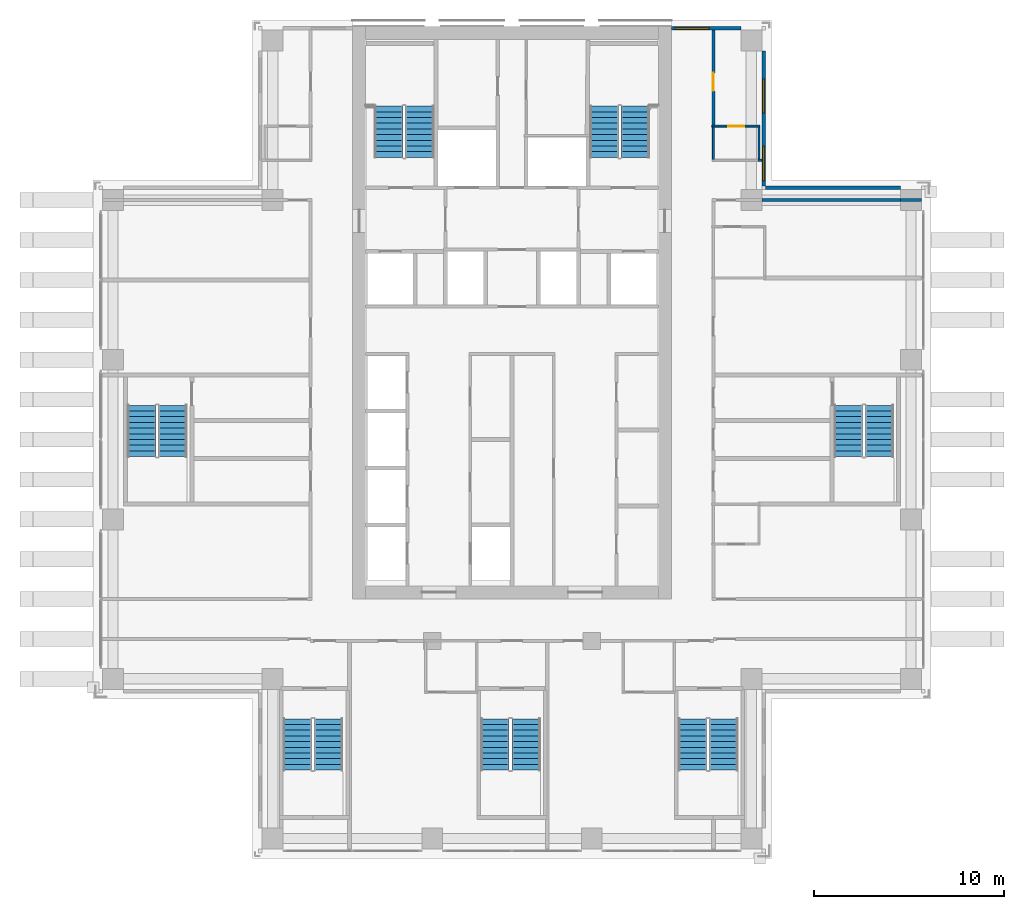
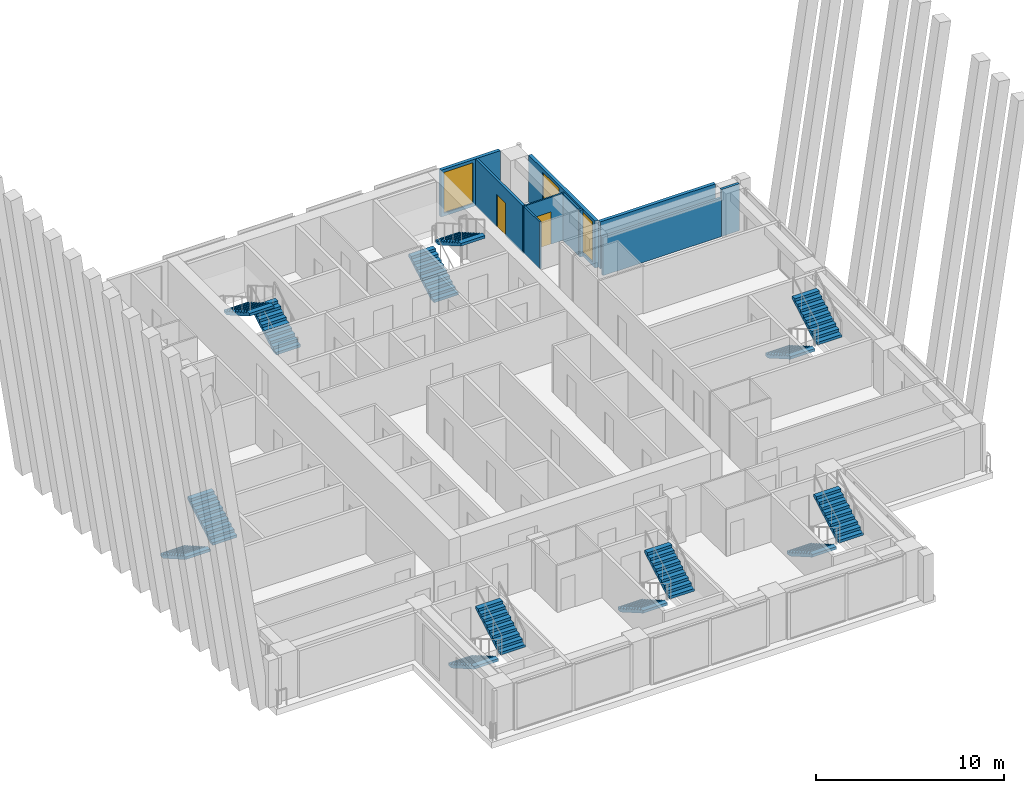
# One storey, part 12 of 15: 14 stair flights, 10 walls, 3 windows, 2 doors, 5 openings, 7 elements without a shape of their own.
"""IFC4 building model written with IfcOpenShell, lengths in metres."""

from ifc_helpers import new_model, si_unit, direction, frame, frame_2d, origin, place, context, subcontext, project, spatial, polyline, rectangle, outline, extrude, material, layer, layer_set, type_object, element, fill, aggregate, save


model = new_model("IFC4")

# Units and contexts
model_context = context("Model", 3, precision=1e-05, world=origin(), true_north=direction((0.0, 1.0)))
body_context = subcontext(model_context, "Body", "Model", "MODEL_VIEW")
ifc_project = project(units=[si_unit("LENGTHUNIT", "METRE"), si_unit("AREAUNIT", "SQUARE_METRE"), si_unit("VOLUMEUNIT", "CUBIC_METRE"), si_unit("PLANEANGLEUNIT", "RADIAN"), si_unit("MASSUNIT", "GRAM", prefix="KILO")], contexts=[model_context])

# Site, building, storey
site_placement = place(None, origin())
site = spatial("IfcSite", under=ifc_project, at=site_placement, CompositionType="ELEMENT")
building_placement = place(site_placement, origin())
building = spatial("IfcBuilding", under=site, at=building_placement, Name="Vermilion Ogive Tower", CompositionType="ELEMENT")
storey_placement = place(building_placement, frame((0.0, 0.0, 153.800048828125)))
storey = spatial("IfcBuildingStorey", under=building, at=storey_placement, Name="L39", CompositionType="ELEMENT", Elevation=153.800048828125)

# Wall, opening, door
ifc_material_1 = material(Name="Gypsum board partition on steel studs", Category="steel")
ifc_layer_1 = layer(ifc_material_1, 0.10009765625)
ifc_layer_set_1 = layer_set([ifc_layer_1], Name="Partition 100 bath")
wall_type_1 = type_object("IfcWallType", Name="Partition 100 bath", PredefinedType="PARTITIONING", material=ifc_layer_set_1)
wall_1_placement = place(storey_placement, frame((10.52490234375, 16.5, 0.0), z_axis=(0.0, 0.0, 1.0), x_axis=(1.0, 0.0, 0.0)))
wall_1 = element("IfcWall", 1, at=wall_1_placement, inside=storey, type_object=wall_type_1, Name="L39-W-W039", PredefinedType="PARTITIONING", context=body_context, shape_type="SweptSolid", body=[
    extrude(rectangle(XDim=2.525146484375, YDim=0.10009765625, at=frame_2d((1.2626953125, 0.0))), origin(), (0.0, 0.0, 1.0), 3.050048828125),
])
opening_1_placement = place(wall_1_placement, frame((0.85009765625, 0.0, 0.0)))
opening_1 = element("IfcOpeningElement", 2, at=opening_1_placement, cuts=wall_1, Name="Opening D3G3018", PredefinedType="OPENING", context=body_context, shape_type="SweptSolid", body=[
    extrude(rectangle(XDim=0.85009765625, YDim=2.10009765625, at=frame_2d((0.425048828125, 1.050048828125))), frame((0.0, 0.06005859375, 0.0), z_axis=(0.0, -1.0, 0.0), x_axis=(1.0, 0.0, 0.0)), (0.0, 0.0, 1.0), 0.1201171875),
])
ifc_material_2 = material(Name="Timber door leaf", Category="wood")
door_type_1 = type_object("IfcDoorType", Name="Bath door 850 x 2100 FD30", OperationType="SINGLE_SWING_LEFT", PredefinedType="DOOR", material=ifc_material_2)
door_1_placement = place(opening_1_placement, origin())
door_1 = element("IfcDoor", 3, at=door_1_placement, inside=storey, type_object=door_type_1, Name="L39-D-D018", OperationType="SINGLE_SWING_RIGHT", OverallHeight=2.10009765625, OverallWidth=0.85009765625, PredefinedType="DOOR", context=body_context, shape_type="SweptSolid", body=[
    extrude(rectangle(XDim=0.85009765625, YDim=2.10009765625, at=frame_2d((0.425048828125, 1.050048828125))), frame((0.0, 0.02490234375, 0.0), z_axis=(0.0, -1.0, 0.0), x_axis=(1.0, 0.0, 0.0)), (0.0, 0.0, 1.0), 0.050048828125),
])
fill(opening_1, door_1)

# Walls
wall_2_placement = place(storey_placement, frame((10.60009765625, 14.75, 0.0), z_axis=(0.0, 0.0, 1.0), x_axis=(0.0, 1.0, 0.0)))
element("IfcWall", 4, at=wall_2_placement, inside=storey, type_object=wall_type_1, Name="L39-W-W062", PredefinedType="PARTITIONING", context=body_context, shape_type="SweptSolid", body=[
    extrude(rectangle(XDim=1.699951171875, YDim=0.10009765625, at=frame_2d((0.85009765625, 0.0))), origin(), (0.0, 0.0, 1.0), 3.050048828125),
])
wall_3_placement = place(storey_placement, frame((13.0, 14.77490234375, 0.0), z_axis=(0.0, 0.0, 1.0), x_axis=(0.0, 1.0, 0.0)))
element("IfcWall", 5, at=wall_3_placement, inside=storey, type_object=wall_type_1, Name="L39-W-W065", PredefinedType="PARTITIONING", context=body_context, shape_type="SweptSolid", body=[
    extrude(rectangle(XDim=1.675048828125, YDim=0.10009765625, at=frame_2d((0.83740234375, 0.0))), origin(), (0.0, 0.0, 1.0), 3.050048828125),
])
ifc_material_3 = material(Name="Gypsum board partition on steel studs", Category="steel")
ifc_layer_2 = layer(ifc_material_3, 0.14990234375)
ifc_layer_set_2 = layer_set([ifc_layer_2], Name="Partition 150 corridor")
wall_type_2 = type_object("IfcWallType", Name="Partition 150 corridor", PredefinedType="PARTITIONING", material=ifc_layer_set_2)
wall_4_placement = place(storey_placement, frame((12.949951171875, 14.699951171875, 0.0), z_axis=(0.0, 0.0, 1.0), x_axis=(1.0, 0.0, 0.0)))
element("IfcWall", 6, at=wall_4_placement, inside=storey, type_object=wall_type_2, Name="L39-W-W037", PredefinedType="PARTITIONING", context=body_context, shape_type="SweptSolid", body=[
    extrude(rectangle(XDim=0.199951171875, YDim=0.14990234375, at=frame_2d((0.10009765625, 0.0))), origin(), (0.0, 0.0, 1.0), 3.050048828125),
])

# Wall, opening, door
wall_5_placement = place(storey_placement, frame((10.60009765625, 16.550048828125, 0.0), z_axis=(0.0, 0.0, 1.0), x_axis=(0.0, 1.0, 0.0)))
wall_5 = element("IfcWall", 7, at=wall_5_placement, inside=storey, type_object=wall_type_2, Name="L39-W-W063", PredefinedType="PARTITIONING", context=body_context, shape_type="SweptSolid", body=[
    extrude(rectangle(XDim=5.0, YDim=0.14990234375, at=frame_2d((2.5, 0.0))), origin(), (0.0, 0.0, 1.0), 3.050048828125),
])
opening_2_placement = place(wall_5_placement, frame((1.800048828125, 0.0, 0.0)))
opening_2 = element("IfcOpeningElement", 8, at=opening_2_placement, cuts=wall_5, Name="Opening D3G3017", PredefinedType="OPENING", context=body_context, shape_type="SweptSolid", body=[
    extrude(rectangle(XDim=0.949951171875, YDim=2.10009765625, at=frame_2d((0.47509765625, 1.050048828125))), frame((0.0, 0.0849609375, 0.0), z_axis=(0.0, -1.0, 0.0), x_axis=(1.0, 0.0, 0.0)), (0.0, 0.0, 1.0), 0.169921875),
])
ifc_material_4 = material(Name="Timber door leaf", Category="wood")
door_type_2 = type_object("IfcDoorType", Name="Unit door 950 x 2100 FD30S", OperationType="SINGLE_SWING_LEFT", PredefinedType="DOOR", material=ifc_material_4)
door_2_placement = place(opening_2_placement, origin())
door_2 = element("IfcDoor", 9, at=door_2_placement, inside=storey, type_object=door_type_2, Name="L39-D-D017", OperationType="SINGLE_SWING_LEFT", OverallHeight=2.10009765625, OverallWidth=0.949951171875, PredefinedType="DOOR", context=body_context, shape_type="SweptSolid", body=[
    extrude(rectangle(XDim=0.949951171875, YDim=2.10009765625, at=frame_2d((0.47509765625, 1.050048828125))), frame((0.0, 0.02490234375, 0.0), z_axis=(0.0, -1.0, 0.0), x_axis=(1.0, 0.0, 0.0)), (0.0, 0.0, 1.0), 0.050048828125),
])
fill(opening_2, door_2)

# Walls
wall_6_placement = place(storey_placement, frame((13.14990234375, 12.60009765625, 0.0), z_axis=(0.0, 0.0, 1.0), x_axis=(1.0, 0.0, 0.0)))
element("IfcWall", 10, at=wall_6_placement, inside=storey, type_object=wall_type_2, Name="L39-W-W033-h1", PredefinedType="PARTITIONING", context=body_context, shape_type="SweptSolid", body=[
    extrude(rectangle(XDim=7.300048828125, YDim=0.14990234375, at=frame_2d((3.64990234375, 0.0))), origin(), (0.0, 0.0, 1.0), 2.5),
])
wall_7_placement = place(storey_placement, frame((20.449951171875, 12.60009765625, 0.0), z_axis=(0.0, 0.0, 1.0), x_axis=(1.0, 0.0, 0.0)))
element("IfcWall", 11, at=wall_7_placement, inside=storey, type_object=wall_type_2, Name="L39-W-W033-h2", PredefinedType="PARTITIONING", context=body_context, shape_type="SweptSolid", body=[
    extrude(rectangle(XDim=1.10009765625, YDim=0.14990234375, at=frame_2d((0.550048828125, 0.0))), origin(), (0.0, 0.0, 1.0), 3.050048828125),
])
ifc_material_5 = material(Name="Aluminium window wall framing", Category="aluminium")
ifc_layer_3 = layer(ifc_material_5, 0.199951171875)
ifc_layer_set_3 = layer_set([ifc_layer_3], Name="Window wall")
wall_type_3 = type_object("IfcWallType", Name="Window wall", PredefinedType="STANDARD", material=ifc_layer_set_3)
wall_8_placement = place(storey_placement, frame((20.449951171875, 13.25, 0.0), z_axis=(0.0, 0.0, 1.0), x_axis=(-1.0, 0.0, 0.0)))
element("IfcWall", 12, at=wall_8_placement, inside=storey, type_object=wall_type_3, Name="Window wall X31", PredefinedType="STANDARD", context=body_context, shape_type="SweptSolid", body=[
    extrude(rectangle(XDim=7.099853515625, YDim=0.199951171875, at=frame_2d((3.5498046875, 0.0))), origin(), (0.0, 0.0, 1.0), 3.050048828125),
])

# Wall, openings, windows
wall_9_placement = place(storey_placement, frame((13.25, 13.35009765625, 0.0), z_axis=(0.0, 0.0, 1.0), x_axis=(0.0, 1.0, 0.0)))
wall_9 = element("IfcWall", 13, at=wall_9_placement, inside=storey, type_object=wall_type_3, Name="Window wall X41", PredefinedType="STANDARD", context=body_context, shape_type="SweptSolid", body=[
    extrude(rectangle(XDim=7.099853515625, YDim=0.199951171875, at=frame_2d((3.5498046875, 0.0))), origin(), (0.0, 0.0, 1.0), 3.050048828125),
])
opening_3_placement = place(wall_9_placement, frame((0.27490234375, 0.0, 0.199951171875)))
opening_3 = element("IfcOpeningElement", 14, at=opening_3_placement, cuts=wall_9, Name="Opening W1-X403", PredefinedType="OPENING", context=body_context, shape_type="SweptSolid", body=[
    extrude(rectangle(XDim=1.800048828125, YDim=2.64990234375, at=frame_2d((0.89990234375, 1.324951171875))), frame((0.0, 0.10986328125, 0.0), z_axis=(0.0, -1.0, 0.0), x_axis=(1.0, 0.0, 0.0)), (0.0, 0.0, 1.0), 0.219970703125),
])
opening_4_placement = place(wall_9_placement, frame((3.824951171875, 0.0, 0.199951171875)))
opening_4 = element("IfcOpeningElement", 15, at=opening_4_placement, cuts=wall_9, Name="Opening W1-X404", PredefinedType="OPENING", context=body_context, shape_type="SweptSolid", body=[
    extrude(rectangle(XDim=1.800048828125, YDim=2.64990234375, at=frame_2d((0.89990234375, 1.324951171875))), frame((0.0, 0.10986328125, 0.0), z_axis=(0.0, -1.0, 0.0), x_axis=(1.0, 0.0, 0.0)), (0.0, 0.0, 1.0), 0.219970703125),
])
ifc_material_6 = material(Name="Aluminium framed double glazing", Category="aluminium")
window_type = type_object("IfcWindowType", Name="Guest window W1", PartitioningType="SINGLE_PANEL", PredefinedType="WINDOW", material=ifc_material_6)
window_1_placement = place(opening_3_placement, origin())
window_1 = element("IfcWindow", 16, at=window_1_placement, inside=storey, type_object=window_type, Name="Window X403", OverallHeight=2.64990234375, OverallWidth=1.800048828125, PartitioningType="SINGLE_PANEL", PredefinedType="WINDOW", context=body_context, shape_type="SweptSolid", body=[
    extrude(rectangle(XDim=1.800048828125, YDim=2.64990234375, at=frame_2d((0.89990234375, 1.324951171875))), frame((0.0, 0.030029296875, 0.0), z_axis=(0.0, -1.0, 0.0), x_axis=(1.0, 0.0, 0.0)), (0.0, 0.0, 1.0), 0.06005859375),
])
fill(opening_3, window_1)
window_2_placement = place(opening_4_placement, origin())
window_2 = element("IfcWindow", 17, at=window_2_placement, inside=storey, type_object=window_type, Name="Window X404", OverallHeight=2.64990234375, OverallWidth=1.800048828125, PartitioningType="SINGLE_PANEL", PredefinedType="WINDOW", context=body_context, shape_type="SweptSolid", body=[
    extrude(rectangle(XDim=1.800048828125, YDim=2.64990234375, at=frame_2d((0.89990234375, 1.324951171875))), frame((0.0, 0.030029296875, 0.0), z_axis=(0.0, -1.0, 0.0), x_axis=(1.0, 0.0, 0.0)), (0.0, 0.0, 1.0), 0.06005859375),
])
fill(opening_4, window_2)

# Wall, opening, window
wall_10_placement = place(storey_placement, frame((12.050048828125, 21.64990234375, 0.0), z_axis=(0.0, 0.0, 1.0), x_axis=(-1.0, 0.0, 0.0)))
wall_10 = element("IfcWall", 18, at=wall_10_placement, inside=storey, type_object=wall_type_3, Name="Window wall N11", PredefinedType="STANDARD", context=body_context, shape_type="SweptSolid", body=[
    extrude(rectangle(XDim=3.650146484375, YDim=0.199951171875, at=frame_2d((1.8251953125, 0.0))), origin(), (0.0, 0.0, 1.0), 3.050048828125),
])
opening_5_placement = place(wall_10_placement, frame((1.669921875, 0.0, 0.199951171875)))
opening_5 = element("IfcOpeningElement", 19, at=opening_5_placement, cuts=wall_10, Name="Opening W1-N102", PredefinedType="OPENING", context=body_context, shape_type="SweptSolid", body=[
    extrude(rectangle(XDim=1.800048828125, YDim=2.64990234375, at=frame_2d((0.89990234375, 1.324951171875))), frame((0.0, 0.10986328125, 0.0), z_axis=(0.0, -1.0, 0.0), x_axis=(1.0, 0.0, 0.0)), (0.0, 0.0, 1.0), 0.219970703125),
])
window_3_placement = place(opening_5_placement, origin())
window_3 = element("IfcWindow", 20, at=window_3_placement, inside=storey, type_object=window_type, Name="Window N102", OverallHeight=2.64990234375, OverallWidth=1.800048828125, PartitioningType="SINGLE_PANEL", PredefinedType="WINDOW", context=body_context, shape_type="SweptSolid", body=[
    extrude(rectangle(XDim=1.800048828125, YDim=2.64990234375, at=frame_2d((0.89990234375, 1.324951171875))), frame((0.0, 0.030029296875, 0.0), z_axis=(0.0, -1.0, 0.0), x_axis=(1.0, 0.0, 0.0)), (0.0, 0.0, 1.0), 0.06005859375),
])
fill(opening_5, window_3)

# Stair, stair flights
ifc_material_7 = material(Name="Concrete B40", Category="concrete")
stair_type = type_object("IfcStairType", Name="Exit stair 1500", PredefinedType="HALF_TURN_STAIR", material=ifc_material_7)
stair_1_placement = place(storey_placement, origin())
stair_1 = element("IfcStair", 21, at=stair_1_placement, inside=storey, type_object=stair_type, Name="L39 Exit Stair ST1", PredefinedType="HALF_TURN_STAIR")
ifc_material_8 = material(Name="Concrete B40", Category="concrete")
stair_flight_type = type_object("IfcStairFlightType", Name="Stair flight 1500", PredefinedType="STRAIGHT", material=ifc_material_8)
stair_flight_1_placement = place(storey_placement, frame((-4.85009765625, 14.85009765625, 0.0), z_axis=(0.0, 0.0, 1.0), x_axis=(0.0, 1.0, 0.0)))
stair_flight_1 = element("IfcStairFlight", 22, at=stair_flight_1_placement, type_object=stair_flight_type, Name="ST1 flight 1", NumberOfRisers=10, NumberOfTreads=9, PredefinedType="STRAIGHT", RiserHeight=0.1725, TreadLength=0.3, context=body_context, shape_type="SweptSolid", body=[
    extrude(outline(polyline([(0.0, 0.0), (0.0, 0.172607421875), (0.300048828125, 0.172607421875), (0.300048828125, 0.344970703125), (0.60009765625, 0.344970703125), (0.60009765625, 0.517578125), (0.89990234375, 0.517578125), (0.89990234375, 0.68994140625), (1.199951171875, 0.68994140625), (1.199951171875, 0.862548828125), (1.5, 0.862548828125), (1.5, 1.034912109375), (1.800048828125, 1.034912109375), (1.800048828125, 1.20751953125), (2.10009765625, 1.20751953125), (2.10009765625, 1.3798828125), (2.39990234375, 1.3798828125), (2.39990234375, 1.552490234375), (2.699951171875, 1.552490234375), (2.699951171875, 1.72509765625), (2.699951171875, 1.379638671875), (0.30078125, 0.0), (0.0, 0.0)])), frame((0.0, 0.75, 0.0), z_axis=(0.0, -1.0, 0.0), x_axis=(1.0, 0.0, 0.0)), (0.0, 0.0, 1.0), 1.5),
])
stair_flight_2_placement = place(storey_placement, frame((-6.5, 17.550048828125, 1.724853515625), z_axis=(0.0, 0.0, 1.0), x_axis=(0.0, -1.0, 0.0)))
stair_flight_2 = element("IfcStairFlight", 23, at=stair_flight_2_placement, type_object=stair_flight_type, Name="ST1 flight 2", NumberOfRisers=10, NumberOfTreads=9, PredefinedType="STRAIGHT", RiserHeight=0.1725, TreadLength=0.3, context=body_context, shape_type="SweptSolid", body=[
    extrude(outline(polyline([(0.0, 0.0), (0.0, 0.172607421875), (0.300048828125, 0.172607421875), (0.300048828125, 0.344970703125), (0.60009765625, 0.344970703125), (0.60009765625, 0.517578125), (0.89990234375, 0.517578125), (0.89990234375, 0.68994140625), (1.199951171875, 0.68994140625), (1.199951171875, 0.862548828125), (1.5, 0.862548828125), (1.5, 1.034912109375), (1.800048828125, 1.034912109375), (1.800048828125, 1.20751953125), (2.10009765625, 1.20751953125), (2.10009765625, 1.3798828125), (2.39990234375, 1.3798828125), (2.39990234375, 1.552490234375), (2.699951171875, 1.552490234375), (2.699951171875, 1.72509765625), (2.699951171875, 1.379638671875), (0.30078125, 0.0), (0.0, 0.0)])), frame((0.0, 0.75, 0.0), z_axis=(0.0, -1.0, 0.0), x_axis=(1.0, 0.0, 0.0)), (0.0, 0.0, 1.0), 1.5),
])
aggregate(stair_1, [stair_flight_1, stair_flight_2])

stair_2_placement = place(storey_placement, origin())
stair_2 = element("IfcStair", 24, at=stair_2_placement, inside=storey, type_object=stair_type, Name="L39 Exit Stair ST2", PredefinedType="HALF_TURN_STAIR")
stair_flight_3_placement = place(storey_placement, frame((4.85009765625, 14.85009765625, 0.0), z_axis=(0.0, 0.0, 1.0), x_axis=(0.0, 1.0, 0.0)))
stair_flight_3 = element("IfcStairFlight", 25, at=stair_flight_3_placement, type_object=stair_flight_type, Name="ST2 flight 1", NumberOfRisers=10, NumberOfTreads=9, PredefinedType="STRAIGHT", RiserHeight=0.1725, TreadLength=0.3, context=body_context, shape_type="SweptSolid", body=[
    extrude(outline(polyline([(0.0, 0.0), (0.0, 0.172607421875), (0.300048828125, 0.172607421875), (0.300048828125, 0.344970703125), (0.60009765625, 0.344970703125), (0.60009765625, 0.517578125), (0.89990234375, 0.517578125), (0.89990234375, 0.68994140625), (1.199951171875, 0.68994140625), (1.199951171875, 0.862548828125), (1.5, 0.862548828125), (1.5, 1.034912109375), (1.800048828125, 1.034912109375), (1.800048828125, 1.20751953125), (2.10009765625, 1.20751953125), (2.10009765625, 1.3798828125), (2.39990234375, 1.3798828125), (2.39990234375, 1.552490234375), (2.699951171875, 1.552490234375), (2.699951171875, 1.72509765625), (2.699951171875, 1.379638671875), (0.30078125, 0.0), (0.0, 0.0)])), frame((0.0, 0.75, 0.0), z_axis=(0.0, -1.0, 0.0), x_axis=(1.0, 0.0, 0.0)), (0.0, 0.0, 1.0), 1.5),
])
stair_flight_4_placement = place(storey_placement, frame((6.5, 17.550048828125, 1.724853515625), z_axis=(0.0, 0.0, 1.0), x_axis=(0.0, -1.0, 0.0)))
stair_flight_4 = element("IfcStairFlight", 26, at=stair_flight_4_placement, type_object=stair_flight_type, Name="ST2 flight 2", NumberOfRisers=10, NumberOfTreads=9, PredefinedType="STRAIGHT", RiserHeight=0.1725, TreadLength=0.3, context=body_context, shape_type="SweptSolid", body=[
    extrude(outline(polyline([(0.0, 0.0), (0.0, 0.172607421875), (0.300048828125, 0.172607421875), (0.300048828125, 0.344970703125), (0.60009765625, 0.344970703125), (0.60009765625, 0.517578125), (0.89990234375, 0.517578125), (0.89990234375, 0.68994140625), (1.199951171875, 0.68994140625), (1.199951171875, 0.862548828125), (1.5, 0.862548828125), (1.5, 1.034912109375), (1.800048828125, 1.034912109375), (1.800048828125, 1.20751953125), (2.10009765625, 1.20751953125), (2.10009765625, 1.3798828125), (2.39990234375, 1.3798828125), (2.39990234375, 1.552490234375), (2.699951171875, 1.552490234375), (2.699951171875, 1.72509765625), (2.699951171875, 1.379638671875), (0.30078125, 0.0), (0.0, 0.0)])), frame((0.0, 0.75, 0.0), z_axis=(0.0, -1.0, 0.0), x_axis=(1.0, 0.0, 0.0)), (0.0, 0.0, 1.0), 1.5),
])
aggregate(stair_2, [stair_flight_3, stair_flight_4])

stair_3_placement = place(storey_placement, origin())
stair_3 = element("IfcStair", 27, at=stair_3_placement, inside=storey, type_object=stair_type, Name="L39 Exit Stair ST3", PredefinedType="HALF_TURN_STAIR")
stair_flight_5_placement = place(storey_placement, frame((-11.300048828125, -14.699951171875, 0.0), z_axis=(0.0, 0.0, 1.0), x_axis=(0.0, -1.0, 0.0)))
stair_flight_5 = element("IfcStairFlight", 28, at=stair_flight_5_placement, type_object=stair_flight_type, Name="ST3 flight 1", NumberOfRisers=10, NumberOfTreads=9, PredefinedType="STRAIGHT", RiserHeight=0.1725, TreadLength=0.3, context=body_context, shape_type="SweptSolid", body=[
    extrude(outline(polyline([(0.0, 0.0), (0.0, 0.172607421875), (0.300048828125, 0.172607421875), (0.300048828125, 0.344970703125), (0.60009765625, 0.344970703125), (0.60009765625, 0.517578125), (0.89990234375, 0.517578125), (0.89990234375, 0.68994140625), (1.199951171875, 0.68994140625), (1.199951171875, 0.862548828125), (1.5, 0.862548828125), (1.5, 1.034912109375), (1.800048828125, 1.034912109375), (1.800048828125, 1.20751953125), (2.10009765625, 1.20751953125), (2.10009765625, 1.3798828125), (2.39990234375, 1.3798828125), (2.39990234375, 1.552490234375), (2.699951171875, 1.552490234375), (2.699951171875, 1.72509765625), (2.699951171875, 1.379638671875), (0.30078125, 0.0), (0.0, 0.0)])), frame((0.0, 0.75, 0.0), z_axis=(0.0, -1.0, 0.0), x_axis=(1.0, 0.0, 0.0)), (0.0, 0.0, 1.0), 1.5),
])
stair_flight_6_placement = place(storey_placement, frame((-9.64990234375, -17.39990234375, 1.724853515625), z_axis=(0.0, 0.0, 1.0), x_axis=(0.0, 1.0, 0.0)))
stair_flight_6 = element("IfcStairFlight", 29, at=stair_flight_6_placement, type_object=stair_flight_type, Name="ST3 flight 2", NumberOfRisers=10, NumberOfTreads=9, PredefinedType="STRAIGHT", RiserHeight=0.1725, TreadLength=0.3, context=body_context, shape_type="SweptSolid", body=[
    extrude(outline(polyline([(0.0, 0.0), (0.0, 0.172607421875), (0.300048828125, 0.172607421875), (0.300048828125, 0.344970703125), (0.60009765625, 0.344970703125), (0.60009765625, 0.517578125), (0.89990234375, 0.517578125), (0.89990234375, 0.68994140625), (1.199951171875, 0.68994140625), (1.199951171875, 0.862548828125), (1.5, 0.862548828125), (1.5, 1.034912109375), (1.800048828125, 1.034912109375), (1.800048828125, 1.20751953125), (2.10009765625, 1.20751953125), (2.10009765625, 1.3798828125), (2.39990234375, 1.3798828125), (2.39990234375, 1.552490234375), (2.699951171875, 1.552490234375), (2.699951171875, 1.72509765625), (2.699951171875, 1.379638671875), (0.30078125, 0.0), (0.0, 0.0)])), frame((0.0, 0.75, 0.0), z_axis=(0.0, -1.0, 0.0), x_axis=(1.0, 0.0, 0.0)), (0.0, 0.0, 1.0), 1.5),
])
aggregate(stair_3, [stair_flight_5, stair_flight_6])

stair_4_placement = place(storey_placement, origin())
stair_4 = element("IfcStair", 30, at=stair_4_placement, inside=storey, type_object=stair_type, Name="L39 Exit Stair ST4", PredefinedType="HALF_TURN_STAIR")
stair_flight_7_placement = place(storey_placement, frame((-0.89990234375, -14.699951171875, 0.0), z_axis=(0.0, 0.0, 1.0), x_axis=(0.0, -1.0, 0.0)))
stair_flight_7 = element("IfcStairFlight", 31, at=stair_flight_7_placement, type_object=stair_flight_type, Name="ST4 flight 1", NumberOfRisers=10, NumberOfTreads=9, PredefinedType="STRAIGHT", RiserHeight=0.1725, TreadLength=0.3, context=body_context, shape_type="SweptSolid", body=[
    extrude(outline(polyline([(0.0, 0.0), (0.0, 0.172607421875), (0.300048828125, 0.172607421875), (0.300048828125, 0.344970703125), (0.60009765625, 0.344970703125), (0.60009765625, 0.517578125), (0.89990234375, 0.517578125), (0.89990234375, 0.68994140625), (1.199951171875, 0.68994140625), (1.199951171875, 0.862548828125), (1.5, 0.862548828125), (1.5, 1.034912109375), (1.800048828125, 1.034912109375), (1.800048828125, 1.20751953125), (2.10009765625, 1.20751953125), (2.10009765625, 1.3798828125), (2.39990234375, 1.3798828125), (2.39990234375, 1.552490234375), (2.699951171875, 1.552490234375), (2.699951171875, 1.72509765625), (2.699951171875, 1.379638671875), (0.30078125, 0.0), (0.0, 0.0)])), frame((0.0, 0.75, 0.0), z_axis=(0.0, -1.0, 0.0), x_axis=(1.0, 0.0, 0.0)), (0.0, 0.0, 1.0), 1.5),
])
stair_flight_8_placement = place(storey_placement, frame((0.75, -17.39990234375, 1.724853515625), z_axis=(0.0, 0.0, 1.0), x_axis=(0.0, 1.0, 0.0)))
stair_flight_8 = element("IfcStairFlight", 32, at=stair_flight_8_placement, type_object=stair_flight_type, Name="ST4 flight 2", NumberOfRisers=10, NumberOfTreads=9, PredefinedType="STRAIGHT", RiserHeight=0.1725, TreadLength=0.3, context=body_context, shape_type="SweptSolid", body=[
    extrude(outline(polyline([(0.0, 0.0), (0.0, 0.172607421875), (0.300048828125, 0.172607421875), (0.300048828125, 0.344970703125), (0.60009765625, 0.344970703125), (0.60009765625, 0.517578125), (0.89990234375, 0.517578125), (0.89990234375, 0.68994140625), (1.199951171875, 0.68994140625), (1.199951171875, 0.862548828125), (1.5, 0.862548828125), (1.5, 1.034912109375), (1.800048828125, 1.034912109375), (1.800048828125, 1.20751953125), (2.10009765625, 1.20751953125), (2.10009765625, 1.3798828125), (2.39990234375, 1.3798828125), (2.39990234375, 1.552490234375), (2.699951171875, 1.552490234375), (2.699951171875, 1.72509765625), (2.699951171875, 1.379638671875), (0.30078125, 0.0), (0.0, 0.0)])), frame((0.0, 0.75, 0.0), z_axis=(0.0, -1.0, 0.0), x_axis=(1.0, 0.0, 0.0)), (0.0, 0.0, 1.0), 1.5),
])
aggregate(stair_4, [stair_flight_7, stair_flight_8])

stair_5_placement = place(storey_placement, origin())
stair_5 = element("IfcStair", 33, at=stair_5_placement, inside=storey, type_object=stair_type, Name="L39 Exit Stair ST5", PredefinedType="HALF_TURN_STAIR")
stair_flight_9_placement = place(storey_placement, frame((9.5, -14.699951171875, 0.0), z_axis=(0.0, 0.0, 1.0), x_axis=(0.0, -1.0, 0.0)))
stair_flight_9 = element("IfcStairFlight", 34, at=stair_flight_9_placement, type_object=stair_flight_type, Name="ST5 flight 1", NumberOfRisers=10, NumberOfTreads=9, PredefinedType="STRAIGHT", RiserHeight=0.1725, TreadLength=0.3, context=body_context, shape_type="SweptSolid", body=[
    extrude(outline(polyline([(0.0, 0.0), (0.0, 0.172607421875), (0.300048828125, 0.172607421875), (0.300048828125, 0.344970703125), (0.60009765625, 0.344970703125), (0.60009765625, 0.517578125), (0.89990234375, 0.517578125), (0.89990234375, 0.68994140625), (1.199951171875, 0.68994140625), (1.199951171875, 0.862548828125), (1.5, 0.862548828125), (1.5, 1.034912109375), (1.800048828125, 1.034912109375), (1.800048828125, 1.20751953125), (2.10009765625, 1.20751953125), (2.10009765625, 1.3798828125), (2.39990234375, 1.3798828125), (2.39990234375, 1.552490234375), (2.699951171875, 1.552490234375), (2.699951171875, 1.72509765625), (2.699951171875, 1.379638671875), (0.30078125, 0.0), (0.0, 0.0)])), frame((0.0, 0.75, 0.0), z_axis=(0.0, -1.0, 0.0), x_axis=(1.0, 0.0, 0.0)), (0.0, 0.0, 1.0), 1.5),
])
stair_flight_10_placement = place(storey_placement, frame((11.14990234375, -17.39990234375, 1.724853515625), z_axis=(0.0, 0.0, 1.0), x_axis=(0.0, 1.0, 0.0)))
stair_flight_10 = element("IfcStairFlight", 35, at=stair_flight_10_placement, type_object=stair_flight_type, Name="ST5 flight 2", NumberOfRisers=10, NumberOfTreads=9, PredefinedType="STRAIGHT", RiserHeight=0.1725, TreadLength=0.3, context=body_context, shape_type="SweptSolid", body=[
    extrude(outline(polyline([(0.0, 0.0), (0.0, 0.172607421875), (0.300048828125, 0.172607421875), (0.300048828125, 0.344970703125), (0.60009765625, 0.344970703125), (0.60009765625, 0.517578125), (0.89990234375, 0.517578125), (0.89990234375, 0.68994140625), (1.199951171875, 0.68994140625), (1.199951171875, 0.862548828125), (1.5, 0.862548828125), (1.5, 1.034912109375), (1.800048828125, 1.034912109375), (1.800048828125, 1.20751953125), (2.10009765625, 1.20751953125), (2.10009765625, 1.3798828125), (2.39990234375, 1.3798828125), (2.39990234375, 1.552490234375), (2.699951171875, 1.552490234375), (2.699951171875, 1.72509765625), (2.699951171875, 1.379638671875), (0.30078125, 0.0), (0.0, 0.0)])), frame((0.0, 0.75, 0.0), z_axis=(0.0, -1.0, 0.0), x_axis=(1.0, 0.0, 0.0)), (0.0, 0.0, 1.0), 1.5),
])
aggregate(stair_5, [stair_flight_9, stair_flight_10])

stair_6_placement = place(storey_placement, origin())
stair_6 = element("IfcStair", 36, at=stair_6_placement, inside=storey, type_object=stair_type, Name="L39 Exit Stair ST8", PredefinedType="HALF_TURN_STAIR")
stair_flight_11_placement = place(storey_placement, frame((17.699951171875, 1.800048828125, 0.0), z_axis=(0.0, 0.0, 1.0), x_axis=(0.0, -1.0, 0.0)))
stair_flight_11 = element("IfcStairFlight", 37, at=stair_flight_11_placement, type_object=stair_flight_type, Name="ST8 flight 1", NumberOfRisers=10, NumberOfTreads=9, PredefinedType="STRAIGHT", RiserHeight=0.1725, TreadLength=0.3, context=body_context, shape_type="SweptSolid", body=[
    extrude(outline(polyline([(0.0, 0.0), (0.0, 0.172607421875), (0.300048828125, 0.172607421875), (0.300048828125, 0.344970703125), (0.60009765625, 0.344970703125), (0.60009765625, 0.517578125), (0.89990234375, 0.517578125), (0.89990234375, 0.68994140625), (1.199951171875, 0.68994140625), (1.199951171875, 0.862548828125), (1.5, 0.862548828125), (1.5, 1.034912109375), (1.800048828125, 1.034912109375), (1.800048828125, 1.20751953125), (2.10009765625, 1.20751953125), (2.10009765625, 1.3798828125), (2.39990234375, 1.3798828125), (2.39990234375, 1.552490234375), (2.699951171875, 1.552490234375), (2.699951171875, 1.72509765625), (2.699951171875, 1.379638671875), (0.30078125, 0.0), (0.0, 0.0)])), frame((0.0, 0.75, 0.0), z_axis=(0.0, -1.0, 0.0), x_axis=(1.0, 0.0, 0.0)), (0.0, 0.0, 1.0), 1.5),
])
stair_flight_12_placement = place(storey_placement, frame((19.35009765625, -0.89990234375, 1.724853515625), z_axis=(0.0, 0.0, 1.0), x_axis=(0.0, 1.0, 0.0)))
stair_flight_12 = element("IfcStairFlight", 38, at=stair_flight_12_placement, type_object=stair_flight_type, Name="ST8 flight 2", NumberOfRisers=10, NumberOfTreads=9, PredefinedType="STRAIGHT", RiserHeight=0.1725, TreadLength=0.3, context=body_context, shape_type="SweptSolid", body=[
    extrude(outline(polyline([(0.0, 0.0), (0.0, 0.172607421875), (0.300048828125, 0.172607421875), (0.300048828125, 0.344970703125), (0.60009765625, 0.344970703125), (0.60009765625, 0.517578125), (0.89990234375, 0.517578125), (0.89990234375, 0.68994140625), (1.199951171875, 0.68994140625), (1.199951171875, 0.862548828125), (1.5, 0.862548828125), (1.5, 1.034912109375), (1.800048828125, 1.034912109375), (1.800048828125, 1.20751953125), (2.10009765625, 1.20751953125), (2.10009765625, 1.3798828125), (2.39990234375, 1.3798828125), (2.39990234375, 1.552490234375), (2.699951171875, 1.552490234375), (2.699951171875, 1.72509765625), (2.699951171875, 1.379638671875), (0.30078125, 0.0), (0.0, 0.0)])), frame((0.0, 0.75, 0.0), z_axis=(0.0, -1.0, 0.0), x_axis=(1.0, 0.0, 0.0)), (0.0, 0.0, 1.0), 1.5),
])
aggregate(stair_6, [stair_flight_11, stair_flight_12])

stair_7_placement = place(storey_placement, origin())
stair_7 = element("IfcStair", 39, at=stair_7_placement, inside=storey, type_object=stair_type, Name="L39 Exit Stair ST9", PredefinedType="HALF_TURN_STAIR")
stair_flight_13_placement = place(storey_placement, frame((-19.5, 1.800048828125, 0.0), z_axis=(0.0, 0.0, 1.0), x_axis=(0.0, -1.0, 0.0)))
stair_flight_13 = element("IfcStairFlight", 40, at=stair_flight_13_placement, type_object=stair_flight_type, Name="ST9 flight 1", NumberOfRisers=10, NumberOfTreads=9, PredefinedType="STRAIGHT", RiserHeight=0.1725, TreadLength=0.3, context=body_context, shape_type="SweptSolid", body=[
    extrude(outline(polyline([(0.0, 0.0), (0.0, 0.172607421875), (0.300048828125, 0.172607421875), (0.300048828125, 0.344970703125), (0.60009765625, 0.344970703125), (0.60009765625, 0.517578125), (0.89990234375, 0.517578125), (0.89990234375, 0.68994140625), (1.199951171875, 0.68994140625), (1.199951171875, 0.862548828125), (1.5, 0.862548828125), (1.5, 1.034912109375), (1.800048828125, 1.034912109375), (1.800048828125, 1.20751953125), (2.10009765625, 1.20751953125), (2.10009765625, 1.3798828125), (2.39990234375, 1.3798828125), (2.39990234375, 1.552490234375), (2.699951171875, 1.552490234375), (2.699951171875, 1.72509765625), (2.699951171875, 1.379638671875), (0.30078125, 0.0), (0.0, 0.0)])), frame((0.0, 0.75, 0.0), z_axis=(0.0, -1.0, 0.0), x_axis=(1.0, 0.0, 0.0)), (0.0, 0.0, 1.0), 1.5),
])
stair_flight_14_placement = place(storey_placement, frame((-17.85009765625, -0.89990234375, 1.724853515625), z_axis=(0.0, 0.0, 1.0), x_axis=(0.0, 1.0, 0.0)))
stair_flight_14 = element("IfcStairFlight", 41, at=stair_flight_14_placement, type_object=stair_flight_type, Name="ST9 flight 2", NumberOfRisers=10, NumberOfTreads=9, PredefinedType="STRAIGHT", RiserHeight=0.1725, TreadLength=0.3, context=body_context, shape_type="SweptSolid", body=[
    extrude(outline(polyline([(0.0, 0.0), (0.0, 0.172607421875), (0.300048828125, 0.172607421875), (0.300048828125, 0.344970703125), (0.60009765625, 0.344970703125), (0.60009765625, 0.517578125), (0.89990234375, 0.517578125), (0.89990234375, 0.68994140625), (1.199951171875, 0.68994140625), (1.199951171875, 0.862548828125), (1.5, 0.862548828125), (1.5, 1.034912109375), (1.800048828125, 1.034912109375), (1.800048828125, 1.20751953125), (2.10009765625, 1.20751953125), (2.10009765625, 1.3798828125), (2.39990234375, 1.3798828125), (2.39990234375, 1.552490234375), (2.699951171875, 1.552490234375), (2.699951171875, 1.72509765625), (2.699951171875, 1.379638671875), (0.30078125, 0.0), (0.0, 0.0)])), frame((0.0, 0.75, 0.0), z_axis=(0.0, -1.0, 0.0), x_axis=(1.0, 0.0, 0.0)), (0.0, 0.0, 1.0), 1.5),
])
aggregate(stair_7, [stair_flight_13, stair_flight_14])

save(model, "model.ifc")
